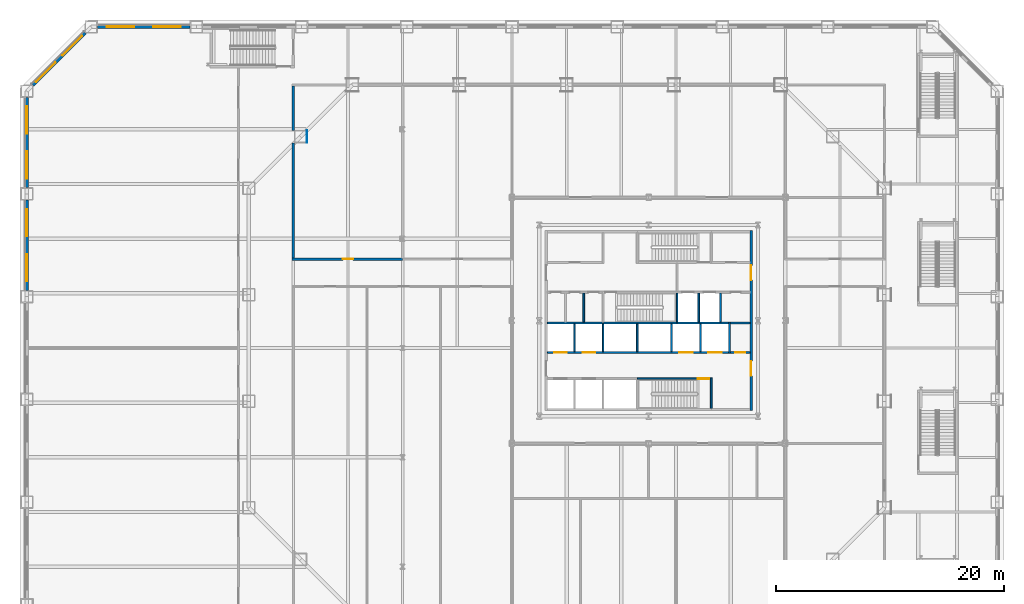
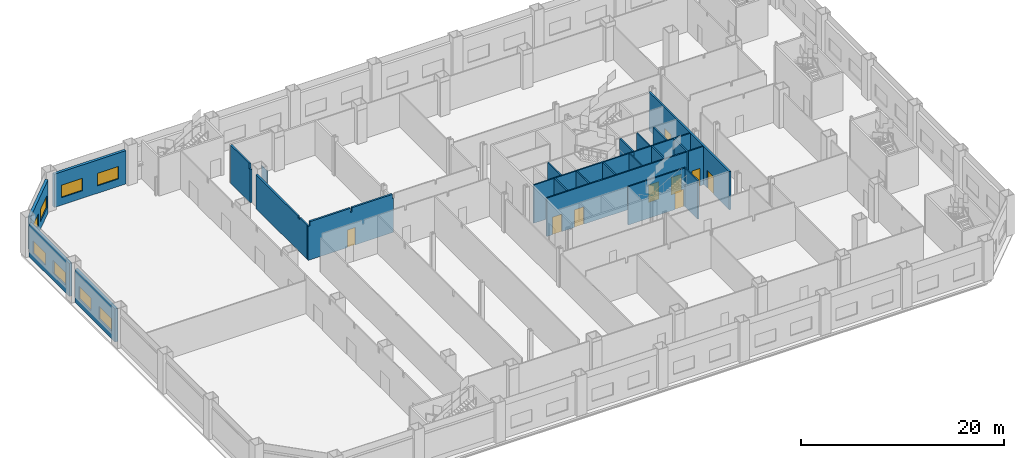
# One storey, part 14 of 25: 27 walls, 9 doors, 8 windows, 17 openings.
"""IFC4 building model written with IfcOpenShell, lengths in metres."""

from ifc_helpers import new_model, si_unit, direction, frame, frame_2d, origin, place, context, subcontext, project, spatial, polyline, rectangle, outline, extrude, material, layer, layer_set, type_object, element, fill, save


model = new_model("IFC4")

# Units and contexts
model_context = context("Model", 3, precision=1e-05, world=origin(), true_north=direction((0.0, 1.0)))
body_context = subcontext(model_context, "Body", "Model", "MODEL_VIEW")
ifc_project = project(units=[si_unit("LENGTHUNIT", "METRE"), si_unit("AREAUNIT", "SQUARE_METRE"), si_unit("VOLUMEUNIT", "CUBIC_METRE"), si_unit("PLANEANGLEUNIT", "RADIAN"), si_unit("MASSUNIT", "GRAM", prefix="KILO")], contexts=[model_context])

# Site, building, storey
site_placement = place(None, origin())
site = spatial("IfcSite", under=ifc_project, at=site_placement, CompositionType="ELEMENT")
building_placement = place(site_placement, origin())
building = spatial("IfcBuilding", under=site, at=building_placement, Name="Cairn Pilgrim Tower", CompositionType="ELEMENT")
storey_placement = place(building_placement, frame((0.0, 0.0, 30.60009765625)))
storey = spatial("IfcBuildingStorey", under=building, at=storey_placement, Name="L05", CompositionType="ELEMENT", Elevation=30.60009765625)

# Wall, openings, doors
ifc_material_1 = material(Name="Concrete C32/40", Category="concrete")
ifc_layer_1 = layer(ifc_material_1, 0.199951171875)
ifc_layer_set_1 = layer_set([ifc_layer_1], Name="CORE OUTER WALL 200 EI 120")
wall_type_1 = type_object("IfcWallType", Name="CORE OUTER WALL 200 EI 120", PredefinedType="SOLIDWALL", material=ifc_layer_set_1)
wall_1_placement = place(storey_placement, frame((16.199951171875, -5.5, 0.0), z_axis=(0.0, 0.0, 1.0), x_axis=(0.0, 1.0, 0.0)))
wall_1 = element("IfcWall", 1, at=wall_1_placement, inside=storey, type_object=wall_type_1, Name="CW:L05:V33", PredefinedType="SOLIDWALL", context=body_context, shape_type="SweptSolid", body=[
    extrude(rectangle(XDim=15.800048828125, YDim=0.199951171875, at=frame_2d((7.89990234375, 0.0))), origin(), (0.0, 0.0, 1.0), 4.599853515625),
])
opening_1_placement = place(wall_1_placement, frame((3.050048828125, 0.0, 0.0)))
opening_1 = element("IfcOpeningElement", 2, at=opening_1_placement, cuts=wall_1, Name="Opening CD-E1", PredefinedType="OPENING", context=body_context, shape_type="SweptSolid", body=[
    extrude(rectangle(XDim=1.300048828125, YDim=2.10009765625, at=frame_2d((0.64990234375, 1.050048828125))), frame((0.0, 0.10986328125, 0.0), z_axis=(0.0, -1.0, 0.0), x_axis=(1.0, 0.0, 0.0)), (0.0, 0.0, 1.0), 0.219970703125),
])
opening_2_placement = place(wall_1_placement, frame((11.449951171875, 0.0, 0.0)))
opening_2 = element("IfcOpeningElement", 3, at=opening_2_placement, cuts=wall_1, Name="Opening CD-E2", PredefinedType="OPENING", context=body_context, shape_type="SweptSolid", body=[
    extrude(rectangle(XDim=1.300048828125, YDim=2.10009765625, at=frame_2d((0.64990234375, 1.050048828125))), frame((0.0, 0.10986328125, 0.0), z_axis=(0.0, -1.0, 0.0), x_axis=(1.0, 0.0, 0.0)), (0.0, 0.0, 1.0), 0.219970703125),
])
ifc_material_2 = material(Name="Painted steel", Category="steel")
door_type_1 = type_object("IfcDoorType", Name="CORE LOBBY DOOR 1300x2100", OperationType="DOUBLE_DOOR_SINGLE_SWING", PredefinedType="DOOR", material=ifc_material_2)
door_1_placement = place(opening_1_placement, origin())
door_1 = element("IfcDoor", 4, at=door_1_placement, inside=storey, type_object=door_type_1, Name="CD-E1", OperationType="DOUBLE_DOOR_SINGLE_SWING", OverallHeight=2.10009765625, OverallWidth=1.300048828125, PredefinedType="DOOR", context=body_context, shape_type="SweptSolid", body=[
    extrude(rectangle(XDim=1.300048828125, YDim=2.10009765625, at=frame_2d((0.64990234375, 1.050048828125))), frame((0.0, 0.02490234375, 0.0), z_axis=(0.0, -1.0, 0.0), x_axis=(1.0, 0.0, 0.0)), (0.0, 0.0, 1.0), 0.050048828125),
])
fill(opening_1, door_1)
door_2_placement = place(opening_2_placement, origin())
door_2 = element("IfcDoor", 5, at=door_2_placement, inside=storey, type_object=door_type_1, Name="CD-E2", OperationType="DOUBLE_DOOR_SINGLE_SWING", OverallHeight=2.10009765625, OverallWidth=1.300048828125, PredefinedType="DOOR", context=body_context, shape_type="SweptSolid", body=[
    extrude(rectangle(XDim=1.300048828125, YDim=2.10009765625, at=frame_2d((0.64990234375, 1.050048828125))), frame((0.0, 0.02490234375, 0.0), z_axis=(0.0, -1.0, 0.0), x_axis=(1.0, 0.0, 0.0)), (0.0, 0.0, 1.0), 0.050048828125),
])
fill(opening_2, door_2)

# Wall, opening, door
ifc_layer_2 = layer(ifc_material_1, 0.14990234375)
ifc_layer_set_2 = layer_set([ifc_layer_2], Name="CORE PARTITION 150 EI 60")
wall_type_2 = type_object("IfcWallType", Name="CORE PARTITION 150 EI 60", PredefinedType="PARTITIONING", material=ifc_layer_set_2)
wall_2_placement = place(storey_placement, frame((14.375, -0.39990234375, 0.0), z_axis=(0.0, 0.0, 1.0), x_axis=(1.0, 0.0, 0.0)))
wall_2 = element("IfcWall", 6, at=wall_2_placement, inside=storey, type_object=wall_type_2, Name="CW:L05:H04", PredefinedType="PARTITIONING", context=body_context, shape_type="SweptSolid", body=[
    extrude(rectangle(XDim=1.72509765625, YDim=0.14990234375, at=frame_2d((0.862548828125, 0.0))), origin(), (0.0, 0.0, 1.0), 4.599853515625),
])
opening_3_placement = place(wall_2_placement, frame((0.425048828125, 0.0, 0.0)))
opening_3 = element("IfcOpeningElement", 7, at=opening_3_placement, cuts=wall_2, Name="Opening RD-R2E", PredefinedType="OPENING", context=body_context, shape_type="SweptSolid", body=[
    extrude(rectangle(XDim=0.89990234375, YDim=2.10009765625, at=frame_2d((0.449951171875, 1.050048828125))), frame((0.0, 0.0849609375, 0.0), z_axis=(0.0, -1.0, 0.0), x_axis=(1.0, 0.0, 0.0)), (0.0, 0.0, 1.0), 0.169921875),
])
door_type_2 = type_object("IfcDoorType", Name="SERVICE ROOM DOOR 900x2100", OperationType="SINGLE_SWING_LEFT", PredefinedType="DOOR", material=ifc_material_2)
door_3_placement = place(opening_3_placement, origin())
door_3 = element("IfcDoor", 8, at=door_3_placement, inside=storey, type_object=door_type_2, Name="RD-R2E", OperationType="SINGLE_SWING_LEFT", OverallHeight=2.10009765625, OverallWidth=0.89990234375, PredefinedType="DOOR", context=body_context, shape_type="SweptSolid", body=[
    extrude(rectangle(XDim=0.89990234375, YDim=2.10009765625, at=frame_2d((0.449951171875, 1.050048828125))), frame((0.0, 0.02490234375, 0.0), z_axis=(0.0, -1.0, 0.0), x_axis=(1.0, 0.0, 0.0)), (0.0, 0.0, 1.0), 0.050048828125),
])
fill(opening_3, door_3)

# Walls
wall_3_placement = place(storey_placement, frame((14.375, 2.199951171875, 0.0), z_axis=(0.0, 0.0, 1.0), x_axis=(1.0, 0.0, 0.0)))
element("IfcWall", 9, at=wall_3_placement, inside=storey, type_object=wall_type_2, Name="CW:L05:H06", PredefinedType="PARTITIONING", context=body_context, shape_type="SweptSolid", body=[
    extrude(rectangle(XDim=1.72509765625, YDim=0.14990234375, at=frame_2d((0.862548828125, 0.0))), origin(), (0.0, 0.0, 1.0), 4.599853515625),
])
wall_4_placement = place(storey_placement, frame((1.5, 2.27490234375, 0.0), z_axis=(0.0, 0.0, 1.0), x_axis=(0.0, 1.0, 0.0)))
element("IfcWall", 10, at=wall_4_placement, inside=storey, type_object=wall_type_2, Name="CW:L05:V16", PredefinedType="PARTITIONING", context=body_context, shape_type="SweptSolid", body=[
    extrude(rectangle(XDim=2.550048828125, YDim=0.14990234375, at=frame_2d((1.27490234375, 0.0))), origin(), (0.0, 0.0, 1.0), 4.599853515625),
])

# Wall, openings, doors
ifc_layer_3 = layer(ifc_material_1, 0.14990234375)
ifc_layer_set_3 = layer_set([ifc_layer_3], Name="CORE SHAFT WALL 150 EI 120")
wall_type_3 = type_object("IfcWallType", Name="CORE SHAFT WALL 150 EI 120", PredefinedType="SOLIDWALL", material=ifc_layer_set_3)
wall_5_placement = place(storey_placement, frame((-1.699951171875, -0.39990234375, 0.0), z_axis=(0.0, 0.0, 1.0), x_axis=(1.0, 0.0, 0.0)))
wall_5 = element("IfcWall", 11, at=wall_5_placement, inside=storey, type_object=wall_type_3, Name="CW:L05:H03", PredefinedType="SOLIDWALL", context=body_context, shape_type="SweptSolid", body=[
    extrude(rectangle(XDim=15.925048828125, YDim=0.14990234375, at=frame_2d((7.96240234375, 0.0))), origin(), (0.0, 0.0, 1.0), 4.599853515625),
])
opening_4_placement = place(wall_5_placement, frame((0.60009765625, 0.0, 0.0)))
opening_4 = element("IfcOpeningElement", 12, at=opening_4_placement, cuts=wall_5, Name="Opening LD-LR3", PredefinedType="OPENING", context=body_context, shape_type="SweptSolid", body=[
    extrude(rectangle(XDim=1.10009765625, YDim=2.10009765625, at=frame_2d((0.550048828125, 1.050048828125))), frame((0.0, 0.0849609375, 0.0), z_axis=(0.0, -1.0, 0.0), x_axis=(1.0, 0.0, 0.0)), (0.0, 0.0, 1.0), 0.169921875),
])
opening_5_placement = place(wall_5_placement, frame((3.10009765625, 0.0, 0.0)))
opening_5 = element("IfcOpeningElement", 13, at=opening_5_placement, cuts=wall_5, Name="Opening LD-LR4", PredefinedType="OPENING", context=body_context, shape_type="SweptSolid", body=[
    extrude(rectangle(XDim=1.10009765625, YDim=2.10009765625, at=frame_2d((0.550048828125, 1.050048828125))), frame((0.0, 0.0849609375, 0.0), z_axis=(0.0, -1.0, 0.0), x_axis=(1.0, 0.0, 0.0)), (0.0, 0.0, 1.0), 0.169921875),
])
opening_6_placement = place(wall_5_placement, frame((11.574951171875, 0.0, 0.0)))
opening_6 = element("IfcOpeningElement", 14, at=opening_6_placement, cuts=wall_5, Name="Opening LD-SV1", PredefinedType="OPENING", context=body_context, shape_type="SweptSolid", body=[
    extrude(rectangle(XDim=1.199951171875, YDim=2.10009765625, at=frame_2d((0.60009765625, 1.050048828125))), frame((0.0, 0.0849609375, 0.0), z_axis=(0.0, -1.0, 0.0), x_axis=(1.0, 0.0, 0.0)), (0.0, 0.0, 1.0), 0.169921875),
])
opening_7_placement = place(wall_5_placement, frame((14.125, 0.0, 0.0)))
opening_7 = element("IfcOpeningElement", 15, at=opening_7_placement, cuts=wall_5, Name="Opening LD-SV2", PredefinedType="OPENING", context=body_context, shape_type="SweptSolid", body=[
    extrude(rectangle(XDim=1.199951171875, YDim=2.10009765625, at=frame_2d((0.60009765625, 1.050048828125))), frame((0.0, 0.0849609375, 0.0), z_axis=(0.0, -1.0, 0.0), x_axis=(1.0, 0.0, 0.0)), (0.0, 0.0, 1.0), 0.169921875),
])
ifc_material_3 = material(Name="Stainless steel", Category="steel")
door_type_3 = type_object("IfcDoorType", Name="LIFT LANDING DOOR 1100x2100", OperationType="DOUBLE_DOOR_SLIDING", PredefinedType="DOOR", material=ifc_material_3)
door_4_placement = place(opening_4_placement, origin())
door_4 = element("IfcDoor", 16, at=door_4_placement, inside=storey, type_object=door_type_3, Name="LANDING DOOR LR3", OperationType="DOUBLE_DOOR_SLIDING", OverallHeight=2.10009765625, OverallWidth=1.10009765625, PredefinedType="DOOR", context=body_context, shape_type="SweptSolid", body=[
    extrude(rectangle(XDim=1.10009765625, YDim=2.10009765625, at=frame_2d((0.550048828125, 1.050048828125))), frame((0.0, 0.02490234375, 0.0), z_axis=(0.0, -1.0, 0.0), x_axis=(1.0, 0.0, 0.0)), (0.0, 0.0, 1.0), 0.050048828125),
])
fill(opening_4, door_4)
door_5_placement = place(opening_5_placement, origin())
door_5 = element("IfcDoor", 17, at=door_5_placement, inside=storey, type_object=door_type_3, Name="LANDING DOOR LR4", OperationType="DOUBLE_DOOR_SLIDING", OverallHeight=2.10009765625, OverallWidth=1.10009765625, PredefinedType="DOOR", context=body_context, shape_type="SweptSolid", body=[
    extrude(rectangle(XDim=1.10009765625, YDim=2.10009765625, at=frame_2d((0.550048828125, 1.050048828125))), frame((0.0, 0.02490234375, 0.0), z_axis=(0.0, -1.0, 0.0), x_axis=(1.0, 0.0, 0.0)), (0.0, 0.0, 1.0), 0.050048828125),
])
fill(opening_5, door_5)
door_type_4 = type_object("IfcDoorType", Name="LIFT LANDING DOOR 1200x2100", OperationType="DOUBLE_DOOR_SLIDING", PredefinedType="DOOR", material=ifc_material_3)
door_6_placement = place(opening_6_placement, origin())
door_6 = element("IfcDoor", 18, at=door_6_placement, inside=storey, type_object=door_type_4, Name="LANDING DOOR SV1", OperationType="DOUBLE_DOOR_SLIDING", OverallHeight=2.10009765625, OverallWidth=1.199951171875, PredefinedType="DOOR", context=body_context, shape_type="SweptSolid", body=[
    extrude(rectangle(XDim=1.199951171875, YDim=2.10009765625, at=frame_2d((0.60009765625, 1.050048828125))), frame((0.0, 0.02490234375, 0.0), z_axis=(0.0, -1.0, 0.0), x_axis=(1.0, 0.0, 0.0)), (0.0, 0.0, 1.0), 0.050048828125),
])
fill(opening_6, door_6)
door_7_placement = place(opening_7_placement, origin())
door_7 = element("IfcDoor", 19, at=door_7_placement, inside=storey, type_object=door_type_4, Name="LANDING DOOR SV2", OperationType="DOUBLE_DOOR_SLIDING", OverallHeight=2.10009765625, OverallWidth=1.199951171875, PredefinedType="DOOR", context=body_context, shape_type="SweptSolid", body=[
    extrude(rectangle(XDim=1.199951171875, YDim=2.10009765625, at=frame_2d((0.60009765625, 1.050048828125))), frame((0.0, 0.02490234375, 0.0), z_axis=(0.0, -1.0, 0.0), x_axis=(1.0, 0.0, 0.0)), (0.0, 0.0, 1.0), 0.050048828125),
])
fill(opening_7, door_7)

# Walls
wall_6_placement = place(storey_placement, frame((-1.699951171875, 2.199951171875, 0.0), z_axis=(0.0, 0.0, 1.0), x_axis=(1.0, 0.0, 0.0)))
element("IfcWall", 20, at=wall_6_placement, inside=storey, type_object=wall_type_3, Name="CW:L05:H05-1", PredefinedType="SOLIDWALL", context=body_context, shape_type="SweptSolid", body=[
    extrude(rectangle(XDim=4.89990234375, YDim=0.14990234375, at=frame_2d((2.449951171875, 0.0))), origin(), (0.0, 0.0, 1.0), 4.599853515625),
])
wall_7_placement = place(storey_placement, frame((9.699951171875, 2.199951171875, 0.0), z_axis=(0.0, 0.0, 1.0), x_axis=(1.0, 0.0, 0.0)))
element("IfcWall", 21, at=wall_7_placement, inside=storey, type_object=wall_type_3, Name="CW:L05:H05-3", PredefinedType="SOLIDWALL", context=body_context, shape_type="SweptSolid", body=[
    extrude(rectangle(XDim=4.525146484375, YDim=0.14990234375, at=frame_2d((2.2626953125, 0.0))), origin(), (0.0, 0.0, 1.0), 4.599853515625),
])
for number, where, z_axis, x_axis, name in (
    (22, (0.699951171875, -0.324951171875, 0.0), (0.0, 0.0, 1.0), (0.0, 1.0, 0.0), "CW:L05:V15"),
    (23, (3.199951171875, -0.324951171875, 0.0), (0.0, 0.0, 1.0), (0.0, 1.0, 0.0), "CW:L05:V18"),
    (24, (6.199951171875, -0.324951171875, 0.0), (0.0, 0.0, 1.0), (0.0, 1.0, 0.0), "CW:L05:V22"),
    (25, (9.199951171875, -0.324951171875, 0.0), (0.0, 0.0, 1.0), (0.0, 1.0, 0.0), "CW:L05:V24"),
):
    element("IfcWall", number, at=place(storey_placement, frame(where, z_axis=z_axis, x_axis=x_axis)), inside=storey, type_object=wall_type_3, Name=name, PredefinedType="SOLIDWALL", context=body_context, shape_type="SweptSolid", body=[
        extrude(rectangle(XDim=2.449951171875, YDim=0.14990234375, at=frame_2d((1.22509765625, 0.0))), origin(), (0.0, 0.0, 1.0), 4.599853515625),
    ])
wall_8_placement = place(storey_placement, frame((11.60009765625, 2.27490234375, 0.0), z_axis=(0.0, 0.0, 1.0), x_axis=(0.0, 1.0, 0.0)))
element("IfcWall", 26, at=wall_8_placement, inside=storey, type_object=wall_type_3, Name="CW:L05:V27", PredefinedType="SOLIDWALL", context=body_context, shape_type="SweptSolid", body=[
    extrude(rectangle(XDim=2.550048828125, YDim=0.14990234375, at=frame_2d((1.27490234375, 0.0))), origin(), (0.0, 0.0, 1.0), 4.599853515625),
])
wall_9_placement = place(storey_placement, frame((11.75, -0.324951171875, 0.0), z_axis=(0.0, 0.0, 1.0), x_axis=(0.0, 1.0, 0.0)))
element("IfcWall", 27, at=wall_9_placement, inside=storey, type_object=wall_type_3, Name="CW:L05:V28", PredefinedType="SOLIDWALL", context=body_context, shape_type="SweptSolid", body=[
    extrude(rectangle(XDim=2.449951171875, YDim=0.14990234375, at=frame_2d((1.22509765625, 0.0))), origin(), (0.0, 0.0, 1.0), 4.599853515625),
])
wall_10_placement = place(storey_placement, frame((13.5, 2.27490234375, 0.0), z_axis=(0.0, 0.0, 1.0), x_axis=(0.0, 1.0, 0.0)))
element("IfcWall", 28, at=wall_10_placement, inside=storey, type_object=wall_type_3, Name="CW:L05:V31", PredefinedType="SOLIDWALL", context=body_context, shape_type="SweptSolid", body=[
    extrude(rectangle(XDim=2.550048828125, YDim=0.14990234375, at=frame_2d((1.27490234375, 0.0))), origin(), (0.0, 0.0, 1.0), 4.599853515625),
])
wall_11_placement = place(storey_placement, frame((14.300048828125, -0.47509765625, 0.0), z_axis=(0.0, 0.0, 1.0), x_axis=(0.0, 1.0, 0.0)))
element("IfcWall", 29, at=wall_11_placement, inside=storey, type_object=wall_type_3, Name="CW:L05:V32", PredefinedType="SOLIDWALL", context=body_context, shape_type="SweptSolid", body=[
    extrude(rectangle(XDim=2.75, YDim=0.14990234375, at=frame_2d((1.375, 0.0))), origin(), (0.0, 0.0, 1.0), 4.599853515625),
])
ifc_material_4 = material(Name="Gypsum partition")
ifc_layer_4 = layer(ifc_material_4, 0.050048828125)
ifc_layer_set_4 = layer_set([ifc_layer_4], Name="PARTITION 50 DRYWALL EI 120")
wall_type_4 = type_object("IfcWallType", Name="PARTITION 50 DRYWALL EI 120", PredefinedType="PARTITIONING", material=ifc_layer_set_4)
wall_12_placement = place(storey_placement, frame((-22.78857421875, 18.013671875, 0.0), z_axis=(0.0, 0.0, 1.0), x_axis=(0.0, 1.0, 0.0)))
element("IfcWall", 30, at=wall_12_placement, inside=storey, type_object=wall_type_4, Name="COLUMN CASING WC27", PredefinedType="PARTITIONING", context=body_context, shape_type="SweptSolid", body=[
    extrude(rectangle(XDim=1.099853515625, YDim=0.050048828125, at=frame_2d((0.5498046875, 0.0))), origin(), (0.0, 0.0, 1.0), 4.079833984375),
])

# Wall, openings, windows
ifc_material_5 = material(Name="Concrete C35/45 backup wall with bronze aluminium cladding", Category="concrete")
ifc_layer_5 = layer(ifc_material_5, 0.300048828125)
ifc_layer_set_5 = layer_set([ifc_layer_5], Name="PODIUM WALL 300 BRONZE-CLAD")
wall_type_5 = type_object("IfcWallType", Name="PODIUM WALL 300 BRONZE-CLAD", PredefinedType="SOLIDWALL", material=ifc_layer_set_5)
wall_13_placement = place(storey_placement, frame((-33.063720703125, 28.199951171875, 0.0), z_axis=(0.0, 0.0, 1.0), x_axis=(-1.0, 0.0, 0.0)))
wall_13 = element("IfcWall", 31, at=wall_13_placement, inside=storey, type_object=wall_type_5, Name="PODIUM EXTERNAL WALL N8-NW1", PredefinedType="SOLIDWALL", context=body_context, shape_type="SweptSolid", body=[
    extrude(rectangle(XDim=8.1376953125, YDim=0.300048828125, at=frame_2d((4.06884765625, 0.0))), origin(), (0.0, 0.0, 1.0), 4.0),
])
opening_8_placement = place(wall_13_placement, frame((0.83447265625, 0.0, 0.89990234375)))
opening_8 = element("IfcOpeningElement", 32, at=opening_8_placement, cuts=wall_13, Name="Opening PW15", PredefinedType="OPENING", context=body_context, shape_type="SweptSolid", body=[
    extrude(rectangle(XDim=2.39990234375, YDim=1.5, at=frame_2d((1.199951171875, 0.75))), frame((0.0, 0.16015625, 0.0), z_axis=(0.0, -1.0, 0.0), x_axis=(1.0, 0.0, 0.0)), (0.0, 0.0, 1.0), 0.320068359375),
])
opening_9_placement = place(wall_13_placement, frame((4.9033203125, 0.0, 0.89990234375)))
opening_9 = element("IfcOpeningElement", 33, at=opening_9_placement, cuts=wall_13, Name="Opening PW15", PredefinedType="OPENING", context=body_context, shape_type="SweptSolid", body=[
    extrude(rectangle(XDim=2.39990234375, YDim=1.5, at=frame_2d((1.199951171875, 0.75))), frame((0.0, 0.16015625, 0.0), z_axis=(0.0, -1.0, 0.0), x_axis=(1.0, 0.0, 0.0)), (0.0, 0.0, 1.0), 0.320068359375),
])
ifc_material_6 = material(Name="Bronze anodised aluminium frame with tinted low-E glass", Category="aluminium")
window_type = type_object("IfcWindowType", Name="PODIUM FIXED WINDOW 2400x1500", PartitioningType="SINGLE_PANEL", PredefinedType="WINDOW", material=ifc_material_6)
window_1_placement = place(opening_8_placement, origin())
window_1 = element("IfcWindow", 34, at=window_1_placement, inside=storey, type_object=window_type, Name="PODIUM WINDOW", OverallHeight=1.5, OverallWidth=2.39990234375, PartitioningType="SINGLE_PANEL", PredefinedType="WINDOW", context=body_context, shape_type="SweptSolid", body=[
    extrude(rectangle(XDim=2.39990234375, YDim=1.5, at=frame_2d((1.199951171875, 0.75))), frame((0.0, 0.030029296875, 0.0), z_axis=(0.0, -1.0, 0.0), x_axis=(1.0, 0.0, 0.0)), (0.0, 0.0, 1.0), 0.06005859375),
])
fill(opening_8, window_1)
window_2_placement = place(opening_9_placement, origin())
window_2 = element("IfcWindow", 35, at=window_2_placement, inside=storey, type_object=window_type, Name="PODIUM WINDOW", OverallHeight=1.5, OverallWidth=2.39990234375, PartitioningType="SINGLE_PANEL", PredefinedType="WINDOW", context=body_context, shape_type="SweptSolid", body=[
    extrude(rectangle(XDim=2.39990234375, YDim=1.5, at=frame_2d((1.199951171875, 0.75))), frame((0.0, 0.030029296875, 0.0), z_axis=(0.0, -1.0, 0.0), x_axis=(1.0, 0.0, 0.0)), (0.0, 0.0, 1.0), 0.06005859375),
])
fill(opening_9, window_2)

wall_14_placement = place(storey_placement, frame((-42.274658203125, 27.6767578125, 0.0), z_axis=(0.0, 0.0, 1.0), x_axis=(-0.707106781187, -0.707106781187, 0.0)))
wall_14 = element("IfcWall", 36, at=wall_14_placement, inside=storey, type_object=wall_type_5, Name="PODIUM EXTERNAL WALL NW1-W1", PredefinedType="SOLIDWALL", context=body_context, shape_type="SweptSolid", body=[
    extrude(rectangle(XDim=6.50830078125, YDim=0.300048828125, at=frame_2d((3.254150390625, 0.0))), origin(), (0.0, 0.0, 1.0), 4.0),
])
opening_10_placement = place(wall_14_placement, frame((0.427001953125, 0.0, 0.89990234375)))
opening_10 = element("IfcOpeningElement", 37, at=opening_10_placement, cuts=wall_14, Name="Opening PW15", PredefinedType="OPENING", context=body_context, shape_type="SweptSolid", body=[
    extrude(rectangle(XDim=2.39990234375, YDim=1.5, at=frame_2d((1.199951171875, 0.75))), frame((0.0, 0.16015625, 0.0), z_axis=(0.0, -1.0, 0.0), x_axis=(1.0, 0.0, 0.0)), (0.0, 0.0, 1.0), 0.320068359375),
])
opening_11_placement = place(wall_14_placement, frame((3.68115234375, 0.0, 0.89990234375)))
opening_11 = element("IfcOpeningElement", 38, at=opening_11_placement, cuts=wall_14, Name="Opening PW15", PredefinedType="OPENING", context=body_context, shape_type="SweptSolid", body=[
    extrude(rectangle(XDim=2.39990234375, YDim=1.5, at=frame_2d((1.199951171875, 0.75))), frame((0.0, 0.16015625, 0.0), z_axis=(0.0, -1.0, 0.0), x_axis=(1.0, 0.0, 0.0)), (0.0, 0.0, 1.0), 0.320068359375),
])
window_3_placement = place(opening_10_placement, origin())
window_3 = element("IfcWindow", 39, at=window_3_placement, inside=storey, type_object=window_type, Name="PODIUM WINDOW", OverallHeight=1.5, OverallWidth=2.39990234375, PartitioningType="SINGLE_PANEL", PredefinedType="WINDOW", context=body_context, shape_type="SweptSolid", body=[
    extrude(rectangle(XDim=2.39990234375, YDim=1.5, at=frame_2d((1.199951171875, 0.75))), frame((0.0, 0.030029296875, 0.0), z_axis=(0.0, -1.0, 0.0), x_axis=(1.0, 0.0, 0.0)), (0.0, 0.0, 1.0), 0.06005859375),
])
fill(opening_10, window_3)
window_4_placement = place(opening_11_placement, origin())
window_4 = element("IfcWindow", 40, at=window_4_placement, inside=storey, type_object=window_type, Name="PODIUM WINDOW", OverallHeight=1.5, OverallWidth=2.39990234375, PartitioningType="SINGLE_PANEL", PredefinedType="WINDOW", context=body_context, shape_type="SweptSolid", body=[
    extrude(rectangle(XDim=2.39990234375, YDim=1.5, at=frame_2d((1.199951171875, 0.75))), frame((0.0, 0.030029296875, 0.0), z_axis=(0.0, -1.0, 0.0), x_axis=(1.0, 0.0, 0.0)), (0.0, 0.0, 1.0), 0.06005859375),
])
fill(opening_11, window_4)

wall_15_placement = place(storey_placement, frame((-47.39990234375, 22.00146484375, 0.0), z_axis=(0.0, 0.0, 1.0), x_axis=(0.0, -1.0, 0.0)))
wall_15 = element("IfcWall", 41, at=wall_15_placement, inside=storey, type_object=wall_type_5, Name="PODIUM EXTERNAL WALL W1-W2", PredefinedType="SOLIDWALL", context=body_context, shape_type="SweptSolid", body=[
    extrude(rectangle(XDim=7.920654296875, YDim=0.300048828125, at=frame_2d((3.96044921875, 0.0))), origin(), (0.0, 0.0, 1.0), 4.0),
])
opening_12_placement = place(wall_15_placement, frame((0.780029296875, 0.0, 0.89990234375)))
opening_12 = element("IfcOpeningElement", 42, at=opening_12_placement, cuts=wall_15, Name="Opening PW15", PredefinedType="OPENING", context=body_context, shape_type="SweptSolid", body=[
    extrude(rectangle(XDim=2.39990234375, YDim=1.5, at=frame_2d((1.199951171875, 0.75))), frame((0.0, 0.16015625, 0.0), z_axis=(0.0, -1.0, 0.0), x_axis=(1.0, 0.0, 0.0)), (0.0, 0.0, 1.0), 0.320068359375),
])
opening_13_placement = place(wall_15_placement, frame((4.740478515625, 0.0, 0.89990234375)))
opening_13 = element("IfcOpeningElement", 43, at=opening_13_placement, cuts=wall_15, Name="Opening PW15", PredefinedType="OPENING", context=body_context, shape_type="SweptSolid", body=[
    extrude(rectangle(XDim=2.39990234375, YDim=1.5, at=frame_2d((1.199951171875, 0.75))), frame((0.0, 0.16015625, 0.0), z_axis=(0.0, -1.0, 0.0), x_axis=(1.0, 0.0, 0.0)), (0.0, 0.0, 1.0), 0.320068359375),
])
window_5_placement = place(opening_12_placement, origin())
window_5 = element("IfcWindow", 44, at=window_5_placement, inside=storey, type_object=window_type, Name="PODIUM WINDOW", OverallHeight=1.5, OverallWidth=2.39990234375, PartitioningType="SINGLE_PANEL", PredefinedType="WINDOW", context=body_context, shape_type="SweptSolid", body=[
    extrude(rectangle(XDim=2.39990234375, YDim=1.5, at=frame_2d((1.199951171875, 0.75))), frame((0.0, 0.030029296875, 0.0), z_axis=(0.0, -1.0, 0.0), x_axis=(1.0, 0.0, 0.0)), (0.0, 0.0, 1.0), 0.06005859375),
])
fill(opening_12, window_5)
window_6_placement = place(opening_13_placement, origin())
window_6 = element("IfcWindow", 45, at=window_6_placement, inside=storey, type_object=window_type, Name="PODIUM WINDOW", OverallHeight=1.5, OverallWidth=2.39990234375, PartitioningType="SINGLE_PANEL", PredefinedType="WINDOW", context=body_context, shape_type="SweptSolid", body=[
    extrude(rectangle(XDim=2.39990234375, YDim=1.5, at=frame_2d((1.199951171875, 0.75))), frame((0.0, 0.030029296875, 0.0), z_axis=(0.0, -1.0, 0.0), x_axis=(1.0, 0.0, 0.0)), (0.0, 0.0, 1.0), 0.06005859375),
])
fill(opening_13, window_6)

wall_16_placement = place(storey_placement, frame((-47.39990234375, 12.98095703125, 0.0), z_axis=(0.0, 0.0, 1.0), x_axis=(0.0, -1.0, 0.0)))
wall_16 = element("IfcWall", 46, at=wall_16_placement, inside=storey, type_object=wall_type_5, Name="PODIUM EXTERNAL WALL W2-W3", PredefinedType="SOLIDWALL", context=body_context, shape_type="SweptSolid", body=[
    extrude(rectangle(XDim=7.920654296875, YDim=0.300048828125, at=frame_2d((3.96044921875, 0.0))), origin(), (0.0, 0.0, 1.0), 4.0),
])
opening_14_placement = place(wall_16_placement, frame((0.780029296875, 0.0, 0.89990234375)))
opening_14 = element("IfcOpeningElement", 47, at=opening_14_placement, cuts=wall_16, Name="Opening PW15", PredefinedType="OPENING", context=body_context, shape_type="SweptSolid", body=[
    extrude(rectangle(XDim=2.39990234375, YDim=1.5, at=frame_2d((1.199951171875, 0.75))), frame((0.0, 0.16015625, 0.0), z_axis=(0.0, -1.0, 0.0), x_axis=(1.0, 0.0, 0.0)), (0.0, 0.0, 1.0), 0.320068359375),
])
opening_15_placement = place(wall_16_placement, frame((4.740478515625, 0.0, 0.89990234375)))
opening_15 = element("IfcOpeningElement", 48, at=opening_15_placement, cuts=wall_16, Name="Opening PW15", PredefinedType="OPENING", context=body_context, shape_type="SweptSolid", body=[
    extrude(rectangle(XDim=2.39990234375, YDim=1.5, at=frame_2d((1.199951171875, 0.75))), frame((0.0, 0.16015625, 0.0), z_axis=(0.0, -1.0, 0.0), x_axis=(1.0, 0.0, 0.0)), (0.0, 0.0, 1.0), 0.320068359375),
])
window_7_placement = place(opening_14_placement, origin())
window_7 = element("IfcWindow", 49, at=window_7_placement, inside=storey, type_object=window_type, Name="PODIUM WINDOW", OverallHeight=1.5, OverallWidth=2.39990234375, PartitioningType="SINGLE_PANEL", PredefinedType="WINDOW", context=body_context, shape_type="SweptSolid", body=[
    extrude(rectangle(XDim=2.39990234375, YDim=1.5, at=frame_2d((1.199951171875, 0.75))), frame((0.0, 0.030029296875, 0.0), z_axis=(0.0, -1.0, 0.0), x_axis=(1.0, 0.0, 0.0)), (0.0, 0.0, 1.0), 0.06005859375),
])
fill(opening_14, window_7)
window_8_placement = place(opening_15_placement, origin())
window_8 = element("IfcWindow", 50, at=window_8_placement, inside=storey, type_object=window_type, Name="PODIUM WINDOW", OverallHeight=1.5, OverallWidth=2.39990234375, PartitioningType="SINGLE_PANEL", PredefinedType="WINDOW", context=body_context, shape_type="SweptSolid", body=[
    extrude(rectangle(XDim=2.39990234375, YDim=1.5, at=frame_2d((1.199951171875, 0.75))), frame((0.0, 0.030029296875, 0.0), z_axis=(0.0, -1.0, 0.0), x_axis=(1.0, 0.0, 0.0)), (0.0, 0.0, 1.0), 0.06005859375),
])
fill(opening_15, window_8)

# Wall, opening, door
ifc_layer_6 = layer(ifc_material_4, 0.199951171875)
ifc_layer_set_6 = layer_set([ifc_layer_6], Name="SHAFT WALL 200 GYPSUM EI 120")
wall_type_6 = type_object("IfcWallType", Name="SHAFT WALL 200 GYPSUM EI 120", PredefinedType="PARTITIONING", material=ifc_layer_set_6)
wall_17_placement = place(storey_placement, frame((-24.10009765625, 7.800048828125, 0.0), z_axis=(0.0, 0.0, 1.0), x_axis=(1.0, 0.0, 0.0)))
wall_17 = element("IfcWall", 51, at=wall_17_placement, inside=storey, type_object=wall_type_6, Name="PARTITION W046", PredefinedType="PARTITIONING", context=body_context, shape_type="SweptSolid", body=[
    extrude(outline(polyline([(0.0, 0.0), (9.7001953125, 0.0), (9.699951171875, 4.079833984375), (9.60009765625, 4.079833984375), (9.597900390625, 4.599853515625), (5.0, 4.599853515625), (4.998046875, 4.079833984375), (4.800048828125, 4.079833984375), (4.798095703125, 4.599853515625), (0.199951171875, 4.599853515625), (0.197998046875, 4.079833984375), (0.0, 4.079833984375), (0.0, 0.0)])), frame((0.0, 0.10009765625, 0.0), z_axis=(0.0, -1.0, 0.0), x_axis=(1.0, 0.0, 0.0)), (0.0, 0.0, 1.0), 0.199951171875),
])
opening_16_placement = place(wall_17_placement, frame((4.449951171875, 0.0, 0.0)))
opening_16 = element("IfcOpeningElement", 52, at=opening_16_placement, cuts=wall_17, Name="Opening 0501", PredefinedType="OPENING", context=body_context, shape_type="SweptSolid", body=[
    extrude(rectangle(XDim=0.89990234375, YDim=2.10009765625, at=frame_2d((0.449951171875, 1.050048828125))), frame((0.0, 0.10986328125, 0.0), z_axis=(0.0, -1.0, 0.0), x_axis=(1.0, 0.0, 0.0)), (0.0, 0.0, 1.0), 0.219970703125),
])
ifc_material_7 = material(Name="Timber door leaf", Category="wood")
door_type_5 = type_object("IfcDoorType", Name="ROOM DOOR 900x2100 FD60S", OperationType="NOTDEFINED", PredefinedType="DOOR", material=ifc_material_7)
door_8_placement = place(opening_16_placement, frame((0.89990234375, 0.0, 0.0), z_axis=(0.0, 0.0, 1.0), x_axis=(-1.0, 0.0, 0.0)))
door_8 = element("IfcDoor", 53, at=door_8_placement, inside=storey, type_object=door_type_5, Name="DOOR 0501", OperationType="SINGLE_SWING_LEFT", OverallHeight=2.10009765625, OverallWidth=0.89990234375, PredefinedType="DOOR", context=body_context, shape_type="SweptSolid", body=[
    extrude(rectangle(XDim=0.89990234375, YDim=2.10009765625, at=frame_2d((0.449951171875, 1.050048828125))), frame((0.0, 0.02490234375, 0.0), z_axis=(0.0, -1.0, 0.0), x_axis=(1.0, 0.0, 0.0)), (0.0, 0.0, 1.0), 0.050048828125),
])
fill(opening_16, door_8)

# Walls
wall_18_placement = place(storey_placement, frame((-24.0, 7.89990234375, 0.0), z_axis=(0.0, 0.0, 1.0), x_axis=(0.0, 1.0, 0.0)))
element("IfcWall", 54, at=wall_18_placement, inside=storey, type_object=wall_type_6, Name="PARTITION W049", PredefinedType="PARTITIONING", context=body_context, shape_type="SweptSolid", body=[
    extrude(outline(polyline([(0.0, 0.0), (10.11376953125, 0.0), (10.113525390625, 4.079833984375), (1.85009765625, 4.079833984375), (1.847900390625, 3.8798828125), (1.550048828125, 3.8798828125), (1.548095703125, 4.079833984375), (0.0, 4.079833984375), (0.0, 0.0)])), frame((0.0, 0.10009765625, 0.0), z_axis=(0.0, -1.0, 0.0), x_axis=(1.0, 0.0, 0.0)), (0.0, 0.0, 1.0), 0.199951171875),
])
wall_19_placement = place(storey_placement, frame((-24.0, 19.113525390625, 0.0), z_axis=(0.0, 0.0, 1.0), x_axis=(0.0, 1.0, 0.0)))
element("IfcWall", 55, at=wall_19_placement, inside=storey, type_object=wall_type_6, Name="PARTITION W065", PredefinedType="PARTITIONING", context=body_context, shape_type="SweptSolid", body=[
    extrude(outline(polyline([(0.0, 0.0), (3.886474609375, 0.0), (3.886474609375, 4.599853515625), (0.236328125, 4.599853515625), (0.234375, 3.97998046875), (0.0, 3.97998046875), (0.0, 0.0)])), frame((0.0, 0.10009765625, 0.0), z_axis=(0.0, -1.0, 0.0), x_axis=(1.0, 0.0, 0.0)), (0.0, 0.0, 1.0), 0.199951171875),
])

# Wall, opening, door
ifc_material_8 = material(Name="Concrete C35/45", Category="concrete")
ifc_layer_7 = layer(ifc_material_8, 0.14990234375)
ifc_layer_set_7 = layer_set([ifc_layer_7], Name="STAIR SHAFT WALL 150 EI 120")
wall_type_7 = type_object("IfcWallType", Name="STAIR SHAFT WALL 150 EI 120", PredefinedType="SOLIDWALL", material=ifc_layer_set_7)
wall_20_placement = place(storey_placement, frame((6.199951171875, -2.699951171875, 0.0), z_axis=(0.0, 0.0, 1.0), x_axis=(1.0, 0.0, 0.0)))
wall_20 = element("IfcWall", 56, at=wall_20_placement, inside=storey, type_object=wall_type_7, Name="CW:L05:H02-2", PredefinedType="SOLIDWALL", context=body_context, shape_type="SweptSolid", body=[
    extrude(rectangle(XDim=6.425048828125, YDim=0.14990234375, at=frame_2d((3.21240234375, 0.0))), origin(), (0.0, 0.0, 1.0), 4.599853515625),
])
opening_17_placement = place(wall_20_placement, frame((5.300048828125, 0.0, 0.0)))
opening_17 = element("IfcOpeningElement", 57, at=opening_17_placement, cuts=wall_20, Name="Opening SD-A", PredefinedType="OPENING", context=body_context, shape_type="SweptSolid", body=[
    extrude(rectangle(XDim=1.0, YDim=2.10009765625, at=frame_2d((0.5, 1.050048828125))), frame((0.0, 0.0849609375, 0.0), z_axis=(0.0, -1.0, 0.0), x_axis=(1.0, 0.0, 0.0)), (0.0, 0.0, 1.0), 0.169921875),
])
door_type_6 = type_object("IfcDoorType", Name="STAIR DOOR FD60S 1000x2100", OperationType="SINGLE_SWING_LEFT", PredefinedType="DOOR", material=ifc_material_2)
door_9_placement = place(opening_17_placement, origin())
door_9 = element("IfcDoor", 58, at=door_9_placement, inside=storey, type_object=door_type_6, Name="SD-A", OperationType="SINGLE_SWING_RIGHT", OverallHeight=2.10009765625, OverallWidth=1.0, PredefinedType="DOOR", context=body_context, shape_type="SweptSolid", body=[
    extrude(rectangle(XDim=1.0, YDim=2.10009765625, at=frame_2d((0.5, 1.050048828125))), frame((0.0, 0.02490234375, 0.0), z_axis=(0.0, -1.0, 0.0), x_axis=(1.0, 0.0, 0.0)), (0.0, 0.0, 1.0), 0.050048828125),
])
fill(opening_17, door_9)

# Walls
wall_21_placement = place(storey_placement, frame((3.199951171875, 2.199951171875, 0.0), z_axis=(0.0, 0.0, 1.0), x_axis=(1.0, 0.0, 0.0)))
element("IfcWall", 59, at=wall_21_placement, inside=storey, type_object=wall_type_7, Name="CW:L05:H05-2", PredefinedType="SOLIDWALL", context=body_context, shape_type="SweptSolid", body=[
    extrude(rectangle(XDim=6.5, YDim=0.14990234375, at=frame_2d((3.25, 0.0))), origin(), (0.0, 0.0, 1.0), 4.599853515625),
])
wall_22_placement = place(storey_placement, frame((9.699951171875, 2.27490234375, 0.0), z_axis=(0.0, 0.0, 1.0), x_axis=(0.0, 1.0, 0.0)))
element("IfcWall", 60, at=wall_22_placement, inside=storey, type_object=wall_type_7, Name="CW:L05:V25", PredefinedType="SOLIDWALL", context=body_context, shape_type="SweptSolid", body=[
    extrude(rectangle(XDim=2.550048828125, YDim=0.14990234375, at=frame_2d((1.27490234375, 0.0))), origin(), (0.0, 0.0, 1.0), 4.599853515625),
])
wall_23_placement = place(storey_placement, frame((12.699951171875, -5.300048828125, 0.0), z_axis=(0.0, 0.0, 1.0), x_axis=(0.0, 1.0, 0.0)))
element("IfcWall", 61, at=wall_23_placement, inside=storey, type_object=wall_type_7, Name="CW:L05:V29", PredefinedType="SOLIDWALL", context=body_context, shape_type="SweptSolid", body=[
    extrude(rectangle(XDim=2.675048828125, YDim=0.14990234375, at=frame_2d((1.33740234375, 0.0))), origin(), (0.0, 0.0, 1.0), 4.599853515625),
])

save(model, "model.ifc")
